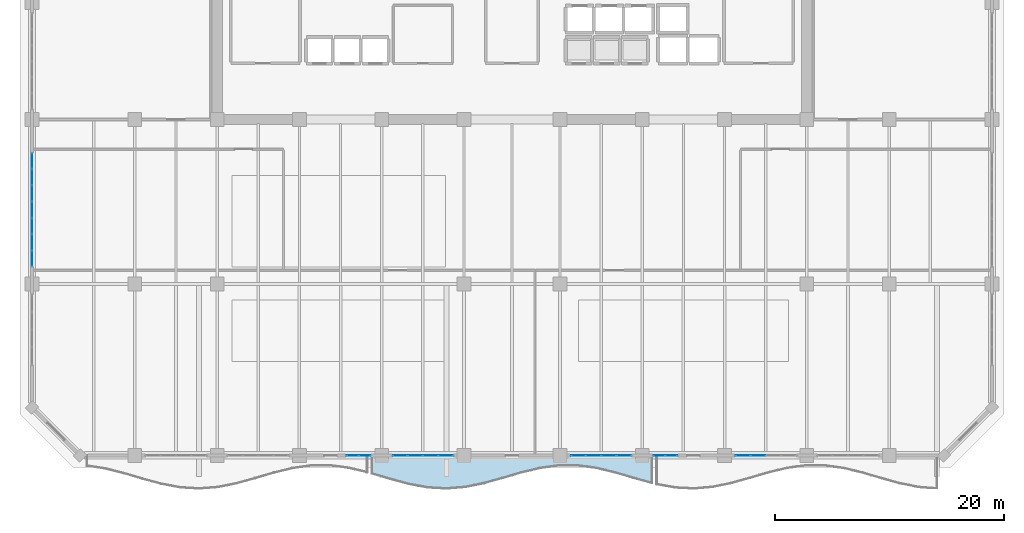
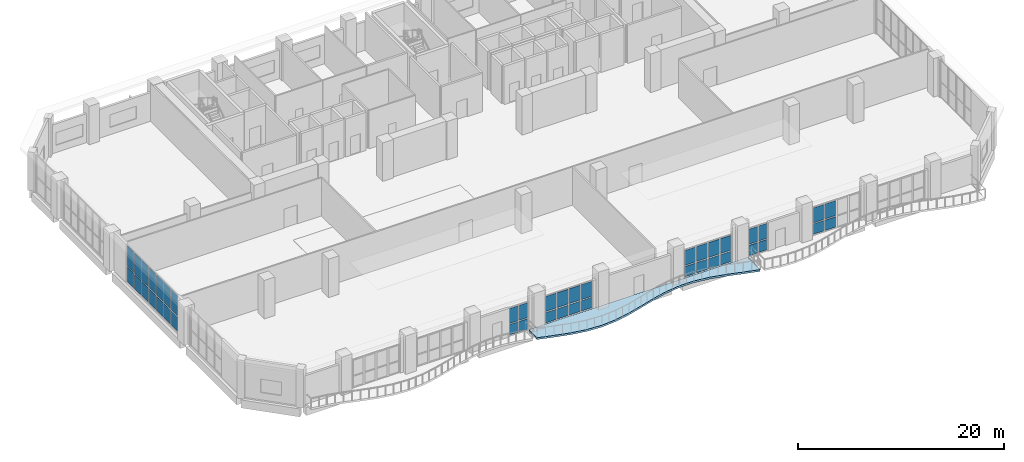
# One storey, part 25 of 37: 42 plates, 1 slab, 6 elements without a shape of their own.
"""IFC4 building model written with IfcOpenShell, lengths in metres."""

from ifc_helpers import new_model, si_unit, direction, frame, origin, origin_2d, place, context, subcontext, project, spatial, polyline, rectangle, outline, extrude, material, layer, layer_set, type_object, element, aggregate, save


model = new_model("IFC4")

# Units and contexts
model_context = context("Model", 3, precision=1e-05, world=origin(), true_north=direction((0.0, 1.0)))
body_context = subcontext(model_context, "Body", "Model", "MODEL_VIEW")
ifc_project = project(units=[si_unit("LENGTHUNIT", "METRE"), si_unit("AREAUNIT", "SQUARE_METRE"), si_unit("VOLUMEUNIT", "CUBIC_METRE"), si_unit("PLANEANGLEUNIT", "RADIAN"), si_unit("MASSUNIT", "GRAM", prefix="KILO")], contexts=[model_context])

# Site, building, storey
site_placement = place(None, origin())
site = spatial("IfcSite", under=ifc_project, at=site_placement, CompositionType="ELEMENT")
building_placement = place(site_placement, origin())
building = spatial("IfcBuilding", under=site, at=building_placement, Name="Kaelvorn Grand Hotel", CompositionType="ELEMENT")
storey_placement = place(building_placement, frame((0.0, 0.0, 130.550048828125)))
storey = spatial("IfcBuildingStorey", under=building, at=storey_placement, Name="L31", CompositionType="ELEMENT", Elevation=130.550048828125)

# Curtain wall, plates
ifc_material_1 = material(Name="Anodised Aluminium", Category="aluminium")
ifc_layer_1 = layer(ifc_material_1, 0.199951171875)
ifc_layer_set_1 = layer_set([ifc_layer_1], Name="Anodised Aluminium")
curtain_wall_type = type_object("IfcCurtainWallType", Name="CW-SYS3", PredefinedType="NOTDEFINED", material=ifc_layer_set_1)
curtain_wall_1_placement = place(storey_placement, origin())
curtain_wall_1 = element("IfcCurtainWall", 1, at=curtain_wall_1_placement, inside=storey, type_object=curtain_wall_type, Name="L31 Unitised Curtain Wall CW3 (CW-L31-SB2-01)", PredefinedType="NOTDEFINED")
ifc_material_2 = material(Name="Laminated Low-E Glass", Category="glass")
ifc_layer_2 = layer(ifc_material_2, 0.030029296875)
ifc_layer_set_2 = layer_set([ifc_layer_2], Name="Laminated Low-E Glass")
plate_type = type_object("IfcPlateType", Name="CW-SYS3-PAN", PredefinedType="CURTAIN_PANEL", material=ifc_layer_set_2)
plate_1_placement = place(storey_placement, frame((28.05126953125, 0.0, 0.135009765625), z_axis=(0.0, 0.0, 1.0), x_axis=(1.0, 0.0, 0.0)))
plate_1 = element("IfcPlate", 2, at=plate_1_placement, type_object=plate_type, Name="CW3 panel 1.1", PredefinedType="CURTAIN_PANEL", context=body_context, shape_type="SweptSolid", body=[
    extrude(rectangle(XDim=0.98583984375, YDim=0.030029296875, at=origin_2d()), origin(), (0.0, 0.0, 1.0), 1.2255859375),
])
plate_2_placement = place(storey_placement, frame((28.05126953125, 0.0, 1.495361328125), z_axis=(0.0, 0.0, 1.0), x_axis=(1.0, 0.0, 0.0)))
plate_2 = element("IfcPlate", 3, at=plate_2_placement, type_object=plate_type, Name="CW3 panel 1.2", PredefinedType="CURTAIN_PANEL", context=body_context, shape_type="SweptSolid", body=[
    extrude(rectangle(XDim=0.98583984375, YDim=0.030029296875, at=origin_2d()), origin(), (0.0, 0.0, 1.0), 1.76953125),
])
plate_3_placement = place(storey_placement, frame((29.112060546875, 0.0, 0.135009765625), z_axis=(0.0, 0.0, 1.0), x_axis=(1.0, 0.0, 0.0)))
plate_3 = element("IfcPlate", 4, at=plate_3_placement, type_object=plate_type, Name="CW3 panel 2.1", PredefinedType="CURTAIN_PANEL", context=body_context, shape_type="SweptSolid", body=[
    extrude(rectangle(XDim=0.98583984375, YDim=0.030029296875, at=origin_2d()), origin(), (0.0, 0.0, 1.0), 1.2255859375),
])
plate_4_placement = place(storey_placement, frame((29.112060546875, 0.0, 1.495361328125), z_axis=(0.0, 0.0, 1.0), x_axis=(1.0, 0.0, 0.0)))
plate_4 = element("IfcPlate", 5, at=plate_4_placement, type_object=plate_type, Name="CW3 panel 2.2", PredefinedType="CURTAIN_PANEL", context=body_context, shape_type="SweptSolid", body=[
    extrude(rectangle(XDim=0.98583984375, YDim=0.030029296875, at=origin_2d()), origin(), (0.0, 0.0, 1.0), 1.76953125),
])
aggregate(curtain_wall_1, [plate_1, plate_2, plate_3, plate_4])

curtain_wall_2_placement = place(storey_placement, origin())
curtain_wall_2 = element("IfcCurtainWall", 6, at=curtain_wall_2_placement, inside=storey, type_object=curtain_wall_type, Name="L31 Unitised Curtain Wall CW3 (CW-L31-SB2-02)", PredefinedType="NOTDEFINED")
plate_5_placement = place(storey_placement, frame((32.208740234375, 0.0, 0.135009765625), z_axis=(0.0, 0.0, 1.0), x_axis=(1.0, 0.0, 0.0)))
plate_5 = element("IfcPlate", 7, at=plate_5_placement, type_object=plate_type, Name="CW3 panel 1.1", PredefinedType="CURTAIN_PANEL", context=body_context, shape_type="SweptSolid", body=[
    extrude(rectangle(XDim=1.2275390625, YDim=0.030029296875, at=origin_2d()), origin(), (0.0, 0.0, 1.0), 1.2255859375),
])
plate_6_placement = place(storey_placement, frame((32.208740234375, 0.0, 1.495361328125), z_axis=(0.0, 0.0, 1.0), x_axis=(1.0, 0.0, 0.0)))
plate_6 = element("IfcPlate", 8, at=plate_6_placement, type_object=plate_type, Name="CW3 panel 1.2", PredefinedType="CURTAIN_PANEL", context=body_context, shape_type="SweptSolid", body=[
    extrude(rectangle(XDim=1.2275390625, YDim=0.030029296875, at=origin_2d()), origin(), (0.0, 0.0, 1.0), 1.76953125),
])
plate_7_placement = place(storey_placement, frame((33.530029296875, 0.0, 0.135009765625), z_axis=(0.0, 0.0, 1.0), x_axis=(1.0, 0.0, 0.0)))
plate_7 = element("IfcPlate", 9, at=plate_7_placement, type_object=plate_type, Name="CW3 panel 2.1", PredefinedType="CURTAIN_PANEL", context=body_context, shape_type="SweptSolid", body=[
    extrude(rectangle(XDim=1.264892578125, YDim=0.030029296875, at=origin_2d()), origin(), (0.0, 0.0, 1.0), 1.2255859375),
])
plate_8_placement = place(storey_placement, frame((33.530029296875, 0.0, 1.495361328125), z_axis=(0.0, 0.0, 1.0), x_axis=(1.0, 0.0, 0.0)))
plate_8 = element("IfcPlate", 10, at=plate_8_placement, type_object=plate_type, Name="CW3 panel 2.2", PredefinedType="CURTAIN_PANEL", context=body_context, shape_type="SweptSolid", body=[
    extrude(rectangle(XDim=1.264892578125, YDim=0.030029296875, at=origin_2d()), origin(), (0.0, 0.0, 1.0), 1.76953125),
])
plate_9_placement = place(storey_placement, frame((34.8701171875, 0.0, 0.135009765625), z_axis=(0.0, 0.0, 1.0), x_axis=(1.0, 0.0, 0.0)))
plate_9 = element("IfcPlate", 11, at=plate_9_placement, type_object=plate_type, Name="CW3 panel 3.1", PredefinedType="CURTAIN_PANEL", context=body_context, shape_type="SweptSolid", body=[
    extrude(rectangle(XDim=1.264892578125, YDim=0.030029296875, at=origin_2d()), origin(), (0.0, 0.0, 1.0), 1.2255859375),
])
plate_10_placement = place(storey_placement, frame((34.8701171875, 0.0, 1.495361328125), z_axis=(0.0, 0.0, 1.0), x_axis=(1.0, 0.0, 0.0)))
plate_10 = element("IfcPlate", 12, at=plate_10_placement, type_object=plate_type, Name="CW3 panel 3.2", PredefinedType="CURTAIN_PANEL", context=body_context, shape_type="SweptSolid", body=[
    extrude(rectangle(XDim=1.264892578125, YDim=0.030029296875, at=origin_2d()), origin(), (0.0, 0.0, 1.0), 1.76953125),
])
plate_11_placement = place(storey_placement, frame((36.191162109375, 0.0, 0.135009765625), z_axis=(0.0, 0.0, 1.0), x_axis=(1.0, 0.0, 0.0)))
plate_11 = element("IfcPlate", 13, at=plate_11_placement, type_object=plate_type, Name="CW3 panel 4.1", PredefinedType="CURTAIN_PANEL", context=body_context, shape_type="SweptSolid", body=[
    extrude(rectangle(XDim=1.2275390625, YDim=0.030029296875, at=origin_2d()), origin(), (0.0, 0.0, 1.0), 1.2255859375),
])
plate_12_placement = place(storey_placement, frame((36.191162109375, 0.0, 1.495361328125), z_axis=(0.0, 0.0, 1.0), x_axis=(1.0, 0.0, 0.0)))
plate_12 = element("IfcPlate", 14, at=plate_12_placement, type_object=plate_type, Name="CW3 panel 4.2", PredefinedType="CURTAIN_PANEL", context=body_context, shape_type="SweptSolid", body=[
    extrude(rectangle(XDim=1.2275390625, YDim=0.030029296875, at=origin_2d()), origin(), (0.0, 0.0, 1.0), 1.76953125),
])
aggregate(curtain_wall_2, [plate_5, plate_6, plate_7, plate_8, plate_9, plate_10, plate_11, plate_12])

curtain_wall_3_placement = place(storey_placement, origin())
curtain_wall_3 = element("IfcCurtainWall", 15, at=curtain_wall_3_placement, inside=storey, type_object=curtain_wall_type, Name="L31 Unitised Curtain Wall CW3 (CW-L31-SB3-01)", PredefinedType="NOTDEFINED")
plate_13_placement = place(storey_placement, frame((47.808837890625, 0.0, 0.135009765625), z_axis=(0.0, 0.0, 1.0), x_axis=(1.0, 0.0, 0.0)))
plate_13 = element("IfcPlate", 16, at=plate_13_placement, type_object=plate_type, Name="CW3 panel 1.1", PredefinedType="CURTAIN_PANEL", context=body_context, shape_type="SweptSolid", body=[
    extrude(rectangle(XDim=1.2275390625, YDim=0.030029296875, at=origin_2d()), origin(), (0.0, 0.0, 1.0), 1.2255859375),
])
plate_14_placement = place(storey_placement, frame((47.808837890625, 0.0, 1.495361328125), z_axis=(0.0, 0.0, 1.0), x_axis=(1.0, 0.0, 0.0)))
plate_14 = element("IfcPlate", 17, at=plate_14_placement, type_object=plate_type, Name="CW3 panel 1.2", PredefinedType="CURTAIN_PANEL", context=body_context, shape_type="SweptSolid", body=[
    extrude(rectangle(XDim=1.2275390625, YDim=0.030029296875, at=origin_2d()), origin(), (0.0, 0.0, 1.0), 1.76953125),
])
plate_15_placement = place(storey_placement, frame((49.1298828125, 0.0, 0.135009765625), z_axis=(0.0, 0.0, 1.0), x_axis=(1.0, 0.0, 0.0)))
plate_15 = element("IfcPlate", 18, at=plate_15_placement, type_object=plate_type, Name="CW3 panel 2.1", PredefinedType="CURTAIN_PANEL", context=body_context, shape_type="SweptSolid", body=[
    extrude(rectangle(XDim=1.264892578125, YDim=0.030029296875, at=origin_2d()), origin(), (0.0, 0.0, 1.0), 1.2255859375),
])
plate_16_placement = place(storey_placement, frame((49.1298828125, 0.0, 1.495361328125), z_axis=(0.0, 0.0, 1.0), x_axis=(1.0, 0.0, 0.0)))
plate_16 = element("IfcPlate", 19, at=plate_16_placement, type_object=plate_type, Name="CW3 panel 2.2", PredefinedType="CURTAIN_PANEL", context=body_context, shape_type="SweptSolid", body=[
    extrude(rectangle(XDim=1.264892578125, YDim=0.030029296875, at=origin_2d()), origin(), (0.0, 0.0, 1.0), 1.76953125),
])
plate_17_placement = place(storey_placement, frame((50.469970703125, 0.0, 0.135009765625), z_axis=(0.0, 0.0, 1.0), x_axis=(1.0, 0.0, 0.0)))
plate_17 = element("IfcPlate", 20, at=plate_17_placement, type_object=plate_type, Name="CW3 panel 3.1", PredefinedType="CURTAIN_PANEL", context=body_context, shape_type="SweptSolid", body=[
    extrude(rectangle(XDim=1.264892578125, YDim=0.030029296875, at=origin_2d()), origin(), (0.0, 0.0, 1.0), 1.2255859375),
])
plate_18_placement = place(storey_placement, frame((50.469970703125, 0.0, 1.495361328125), z_axis=(0.0, 0.0, 1.0), x_axis=(1.0, 0.0, 0.0)))
plate_18 = element("IfcPlate", 21, at=plate_18_placement, type_object=plate_type, Name="CW3 panel 3.2", PredefinedType="CURTAIN_PANEL", context=body_context, shape_type="SweptSolid", body=[
    extrude(rectangle(XDim=1.264892578125, YDim=0.030029296875, at=origin_2d()), origin(), (0.0, 0.0, 1.0), 1.76953125),
])
plate_19_placement = place(storey_placement, frame((51.791259765625, 0.0, 0.135009765625), z_axis=(0.0, 0.0, 1.0), x_axis=(1.0, 0.0, 0.0)))
plate_19 = element("IfcPlate", 22, at=plate_19_placement, type_object=plate_type, Name="CW3 panel 4.1", PredefinedType="CURTAIN_PANEL", context=body_context, shape_type="SweptSolid", body=[
    extrude(rectangle(XDim=1.2275390625, YDim=0.030029296875, at=origin_2d()), origin(), (0.0, 0.0, 1.0), 1.2255859375),
])
plate_20_placement = place(storey_placement, frame((51.791259765625, 0.0, 1.495361328125), z_axis=(0.0, 0.0, 1.0), x_axis=(1.0, 0.0, 0.0)))
plate_20 = element("IfcPlate", 23, at=plate_20_placement, type_object=plate_type, Name="CW3 panel 4.2", PredefinedType="CURTAIN_PANEL", context=body_context, shape_type="SweptSolid", body=[
    extrude(rectangle(XDim=1.2275390625, YDim=0.030029296875, at=origin_2d()), origin(), (0.0, 0.0, 1.0), 1.76953125),
])
aggregate(curtain_wall_3, [plate_13, plate_14, plate_15, plate_16, plate_17, plate_18, plate_19, plate_20])

curtain_wall_4_placement = place(storey_placement, origin())
curtain_wall_4 = element("IfcCurtainWall", 24, at=curtain_wall_4_placement, inside=storey, type_object=curtain_wall_type, Name="L31 Unitised Curtain Wall CW3 (CW-L31-SB3-02)", PredefinedType="NOTDEFINED")
plate_21_placement = place(storey_placement, frame((54.887939453125, 0.0, 0.135009765625), z_axis=(0.0, 0.0, 1.0), x_axis=(1.0, 0.0, 0.0)))
plate_21 = element("IfcPlate", 25, at=plate_21_placement, type_object=plate_type, Name="CW3 panel 1.1", PredefinedType="CURTAIN_PANEL", context=body_context, shape_type="SweptSolid", body=[
    extrude(rectangle(XDim=0.98583984375, YDim=0.030029296875, at=origin_2d()), origin(), (0.0, 0.0, 1.0), 1.2255859375),
])
plate_22_placement = place(storey_placement, frame((54.887939453125, 0.0, 1.495361328125), z_axis=(0.0, 0.0, 1.0), x_axis=(1.0, 0.0, 0.0)))
plate_22 = element("IfcPlate", 26, at=plate_22_placement, type_object=plate_type, Name="CW3 panel 1.2", PredefinedType="CURTAIN_PANEL", context=body_context, shape_type="SweptSolid", body=[
    extrude(rectangle(XDim=0.98583984375, YDim=0.030029296875, at=origin_2d()), origin(), (0.0, 0.0, 1.0), 1.76953125),
])
plate_23_placement = place(storey_placement, frame((55.94873046875, 0.0, 0.135009765625), z_axis=(0.0, 0.0, 1.0), x_axis=(1.0, 0.0, 0.0)))
plate_23 = element("IfcPlate", 27, at=plate_23_placement, type_object=plate_type, Name="CW3 panel 2.1", PredefinedType="CURTAIN_PANEL", context=body_context, shape_type="SweptSolid", body=[
    extrude(rectangle(XDim=0.98583984375, YDim=0.030029296875, at=origin_2d()), origin(), (0.0, 0.0, 1.0), 1.2255859375),
])
plate_24_placement = place(storey_placement, frame((55.94873046875, 0.0, 1.495361328125), z_axis=(0.0, 0.0, 1.0), x_axis=(1.0, 0.0, 0.0)))
plate_24 = element("IfcPlate", 28, at=plate_24_placement, type_object=plate_type, Name="CW3 panel 2.2", PredefinedType="CURTAIN_PANEL", context=body_context, shape_type="SweptSolid", body=[
    extrude(rectangle(XDim=0.98583984375, YDim=0.030029296875, at=origin_2d()), origin(), (0.0, 0.0, 1.0), 1.76953125),
])
aggregate(curtain_wall_4, [plate_21, plate_22, plate_23, plate_24])

curtain_wall_5_placement = place(storey_placement, origin())
curtain_wall_5 = element("IfcCurtainWall", 29, at=curtain_wall_5_placement, inside=storey, type_object=curtain_wall_type, Name="L31 Unitised Curtain Wall CW3 (CW-L31-SB4-01)", PredefinedType="NOTDEFINED")
plate_25_placement = place(storey_placement, frame((62.208740234375, 0.0, 0.135009765625), z_axis=(0.0, 0.0, 1.0), x_axis=(1.0, 0.0, 0.0)))
plate_25 = element("IfcPlate", 30, at=plate_25_placement, type_object=plate_type, Name="CW3 panel 1.1", PredefinedType="CURTAIN_PANEL", context=body_context, shape_type="SweptSolid", body=[
    extrude(rectangle(XDim=1.2275390625, YDim=0.030029296875, at=origin_2d()), origin(), (0.0, 0.0, 1.0), 1.2255859375),
])
plate_26_placement = place(storey_placement, frame((62.208740234375, 0.0, 1.495361328125), z_axis=(0.0, 0.0, 1.0), x_axis=(1.0, 0.0, 0.0)))
plate_26 = element("IfcPlate", 31, at=plate_26_placement, type_object=plate_type, Name="CW3 panel 1.2", PredefinedType="CURTAIN_PANEL", context=body_context, shape_type="SweptSolid", body=[
    extrude(rectangle(XDim=1.2275390625, YDim=0.030029296875, at=origin_2d()), origin(), (0.0, 0.0, 1.0), 1.76953125),
])
plate_27_placement = place(storey_placement, frame((63.530029296875, 0.0, 0.135009765625), z_axis=(0.0, 0.0, 1.0), x_axis=(1.0, 0.0, 0.0)))
plate_27 = element("IfcPlate", 32, at=plate_27_placement, type_object=plate_type, Name="CW3 panel 2.1", PredefinedType="CURTAIN_PANEL", context=body_context, shape_type="SweptSolid", body=[
    extrude(rectangle(XDim=1.264892578125, YDim=0.030029296875, at=origin_2d()), origin(), (0.0, 0.0, 1.0), 1.2255859375),
])
plate_28_placement = place(storey_placement, frame((63.530029296875, 0.0, 1.495361328125), z_axis=(0.0, 0.0, 1.0), x_axis=(1.0, 0.0, 0.0)))
plate_28 = element("IfcPlate", 33, at=plate_28_placement, type_object=plate_type, Name="CW3 panel 2.2", PredefinedType="CURTAIN_PANEL", context=body_context, shape_type="SweptSolid", body=[
    extrude(rectangle(XDim=1.264892578125, YDim=0.030029296875, at=origin_2d()), origin(), (0.0, 0.0, 1.0), 1.76953125),
])
aggregate(curtain_wall_5, [plate_25, plate_26, plate_27, plate_28])

curtain_wall_6_placement = place(storey_placement, origin())
curtain_wall_6 = element("IfcCurtainWall", 34, at=curtain_wall_6_placement, inside=storey, type_object=curtain_wall_type, Name="L31 Unitised Curtain Wall CW3 (CW-L31-W-02)", PredefinedType="NOTDEFINED")
plate_29_placement = place(storey_placement, frame((0.0, 25.749755859375, 0.135009765625), z_axis=(0.0, 0.0, 1.0), x_axis=(0.0, -1.0, 0.0)))
plate_29 = element("IfcPlate", 35, at=plate_29_placement, type_object=plate_type, Name="CW3 panel 1.1", PredefinedType="CURTAIN_PANEL", context=body_context, shape_type="SweptSolid", body=[
    extrude(rectangle(XDim=1.310302734375, YDim=0.030029296875, at=origin_2d()), origin(), (0.0, 0.0, 1.0), 1.69580078125),
])
plate_30_placement = place(storey_placement, frame((0.0, 25.749755859375, 1.9658203125), z_axis=(0.0, 0.0, 1.0), x_axis=(0.0, -1.0, 0.0)))
plate_30 = element("IfcPlate", 36, at=plate_30_placement, type_object=plate_type, Name="CW3 panel 1.2", PredefinedType="CURTAIN_PANEL", context=body_context, shape_type="SweptSolid", body=[
    extrude(rectangle(XDim=1.310302734375, YDim=0.030029296875, at=origin_2d()), origin(), (0.0, 0.0, 1.0), 2.419189453125),
])
plate_31_placement = place(storey_placement, frame((0.0, 24.345703125, 0.135009765625), z_axis=(0.0, 0.0, 1.0), x_axis=(0.0, -1.0, 0.0)))
plate_31 = element("IfcPlate", 37, at=plate_31_placement, type_object=plate_type, Name="CW3 panel 2.1", PredefinedType="CURTAIN_PANEL", context=body_context, shape_type="SweptSolid", body=[
    extrude(rectangle(XDim=1.347900390625, YDim=0.030029296875, at=origin_2d()), origin(), (0.0, 0.0, 1.0), 1.69580078125),
])
plate_32_placement = place(storey_placement, frame((0.0, 24.345703125, 1.9658203125), z_axis=(0.0, 0.0, 1.0), x_axis=(0.0, -1.0, 0.0)))
plate_32 = element("IfcPlate", 38, at=plate_32_placement, type_object=plate_type, Name="CW3 panel 2.2", PredefinedType="CURTAIN_PANEL", context=body_context, shape_type="SweptSolid", body=[
    extrude(rectangle(XDim=1.347900390625, YDim=0.030029296875, at=origin_2d()), origin(), (0.0, 0.0, 1.0), 2.419189453125),
])
plate_33_placement = place(storey_placement, frame((0.0, 22.9228515625, 0.135009765625), z_axis=(0.0, 0.0, 1.0), x_axis=(0.0, -1.0, 0.0)))
plate_33 = element("IfcPlate", 39, at=plate_33_placement, type_object=plate_type, Name="CW3 panel 3.1", PredefinedType="CURTAIN_PANEL", context=body_context, shape_type="SweptSolid", body=[
    extrude(rectangle(XDim=1.347900390625, YDim=0.030029296875, at=origin_2d()), origin(), (0.0, 0.0, 1.0), 1.69580078125),
])
plate_34_placement = place(storey_placement, frame((0.0, 22.9228515625, 1.9658203125), z_axis=(0.0, 0.0, 1.0), x_axis=(0.0, -1.0, 0.0)))
plate_34 = element("IfcPlate", 40, at=plate_34_placement, type_object=plate_type, Name="CW3 panel 3.2", PredefinedType="CURTAIN_PANEL", context=body_context, shape_type="SweptSolid", body=[
    extrude(rectangle(XDim=1.347900390625, YDim=0.030029296875, at=origin_2d()), origin(), (0.0, 0.0, 1.0), 2.419189453125),
])
plate_35_placement = place(storey_placement, frame((0.0, 21.5, 0.135009765625), z_axis=(0.0, 0.0, 1.0), x_axis=(0.0, -1.0, 0.0)))
plate_35 = element("IfcPlate", 41, at=plate_35_placement, type_object=plate_type, Name="CW3 panel 4.1", PredefinedType="CURTAIN_PANEL", context=body_context, shape_type="SweptSolid", body=[
    extrude(rectangle(XDim=1.347900390625, YDim=0.030029296875, at=origin_2d()), origin(), (0.0, 0.0, 1.0), 1.69580078125),
])
plate_36_placement = place(storey_placement, frame((0.0, 21.5, 1.9658203125), z_axis=(0.0, 0.0, 1.0), x_axis=(0.0, -1.0, 0.0)))
plate_36 = element("IfcPlate", 42, at=plate_36_placement, type_object=plate_type, Name="CW3 panel 4.2", PredefinedType="CURTAIN_PANEL", context=body_context, shape_type="SweptSolid", body=[
    extrude(rectangle(XDim=1.347900390625, YDim=0.030029296875, at=origin_2d()), origin(), (0.0, 0.0, 1.0), 2.419189453125),
])
plate_37_placement = place(storey_placement, frame((0.0, 20.0771484375, 0.135009765625), z_axis=(0.0, 0.0, 1.0), x_axis=(0.0, -1.0, 0.0)))
plate_37 = element("IfcPlate", 43, at=plate_37_placement, type_object=plate_type, Name="CW3 panel 5.1", PredefinedType="CURTAIN_PANEL", context=body_context, shape_type="SweptSolid", body=[
    extrude(rectangle(XDim=1.347900390625, YDim=0.030029296875, at=origin_2d()), origin(), (0.0, 0.0, 1.0), 1.69580078125),
])
plate_38_placement = place(storey_placement, frame((0.0, 20.0771484375, 1.9658203125), z_axis=(0.0, 0.0, 1.0), x_axis=(0.0, -1.0, 0.0)))
plate_38 = element("IfcPlate", 44, at=plate_38_placement, type_object=plate_type, Name="CW3 panel 5.2", PredefinedType="CURTAIN_PANEL", context=body_context, shape_type="SweptSolid", body=[
    extrude(rectangle(XDim=1.347900390625, YDim=0.030029296875, at=origin_2d()), origin(), (0.0, 0.0, 1.0), 2.419189453125),
])
plate_39_placement = place(storey_placement, frame((0.0, 18.654296875, 0.135009765625), z_axis=(0.0, 0.0, 1.0), x_axis=(0.0, -1.0, 0.0)))
plate_39 = element("IfcPlate", 45, at=plate_39_placement, type_object=plate_type, Name="CW3 panel 6.1", PredefinedType="CURTAIN_PANEL", context=body_context, shape_type="SweptSolid", body=[
    extrude(rectangle(XDim=1.347900390625, YDim=0.030029296875, at=origin_2d()), origin(), (0.0, 0.0, 1.0), 1.69580078125),
])
plate_40_placement = place(storey_placement, frame((0.0, 18.654296875, 1.9658203125), z_axis=(0.0, 0.0, 1.0), x_axis=(0.0, -1.0, 0.0)))
plate_40 = element("IfcPlate", 46, at=plate_40_placement, type_object=plate_type, Name="CW3 panel 6.2", PredefinedType="CURTAIN_PANEL", context=body_context, shape_type="SweptSolid", body=[
    extrude(rectangle(XDim=1.347900390625, YDim=0.030029296875, at=origin_2d()), origin(), (0.0, 0.0, 1.0), 2.419189453125),
])
plate_41_placement = place(storey_placement, frame((0.0, 17.250244140625, 0.135009765625), z_axis=(0.0, 0.0, 1.0), x_axis=(0.0, -1.0, 0.0)))
plate_41 = element("IfcPlate", 47, at=plate_41_placement, type_object=plate_type, Name="CW3 panel 7.1", PredefinedType="CURTAIN_PANEL", context=body_context, shape_type="SweptSolid", body=[
    extrude(rectangle(XDim=1.310302734375, YDim=0.030029296875, at=origin_2d()), origin(), (0.0, 0.0, 1.0), 1.69580078125),
])
plate_42_placement = place(storey_placement, frame((0.0, 17.250244140625, 1.9658203125), z_axis=(0.0, 0.0, 1.0), x_axis=(0.0, -1.0, 0.0)))
plate_42 = element("IfcPlate", 48, at=plate_42_placement, type_object=plate_type, Name="CW3 panel 7.2", PredefinedType="CURTAIN_PANEL", context=body_context, shape_type="SweptSolid", body=[
    extrude(rectangle(XDim=1.310302734375, YDim=0.030029296875, at=origin_2d()), origin(), (0.0, 0.0, 1.0), 2.419189453125),
])
aggregate(curtain_wall_6, [plate_29, plate_30, plate_31, plate_32, plate_33, plate_34, plate_35, plate_36, plate_37, plate_38, plate_39, plate_40, plate_41, plate_42])

# Slab
ifc_material_3 = material(Name="Concrete C40/50", Category="concrete")
ifc_layer_3 = layer(ifc_material_3, 0.219970703125)
ifc_layer_set_3 = layer_set([ifc_layer_3], Name="Concrete C40/50")
slab_type = type_object("IfcSlabType", Name="SLB-BALC-220-C40", PredefinedType="FLOOR", material=ifc_layer_set_3)
slab_placement = place(storey_placement, frame((0.0, 0.0, -0.219970703125)))
element("IfcSlab", 49, at=slab_placement, inside=storey, type_object=slab_type, Name="L31 Scalloped Wave Balcony Slab 2", PredefinedType="FLOOR", context=body_context, shape_type="SweptSolid", body=[
    extrude(outline(polyline([(29.7333984375, -1.584716796875), (31.368896484375, -2.0673828125), (33.00439453125, -2.507080078125), (34.639892578125, -2.806396484375), (36.275634765625, -2.89892578125), (37.9111328125, -2.763916015625), (39.546630859375, -2.431640625), (41.18212890625, -1.9755859375), (42.81787109375, -1.4970703125), (44.453369140625, -1.102783203125), (46.0888671875, -0.8798828125), (47.724365234375, -0.8779296875), (49.360107421875, -1.097412109375), (50.99560546875, -1.48974609375), (52.631103515625, -1.967529296875), (54.2666015625, -2.4248046875), (54.2666015625, 0.0), (29.7333984375, 0.0), (29.7333984375, -1.584716796875)])), origin(), (0.0, 0.0, 1.0), 0.219970703125),
])

save(model, "model.ifc")
